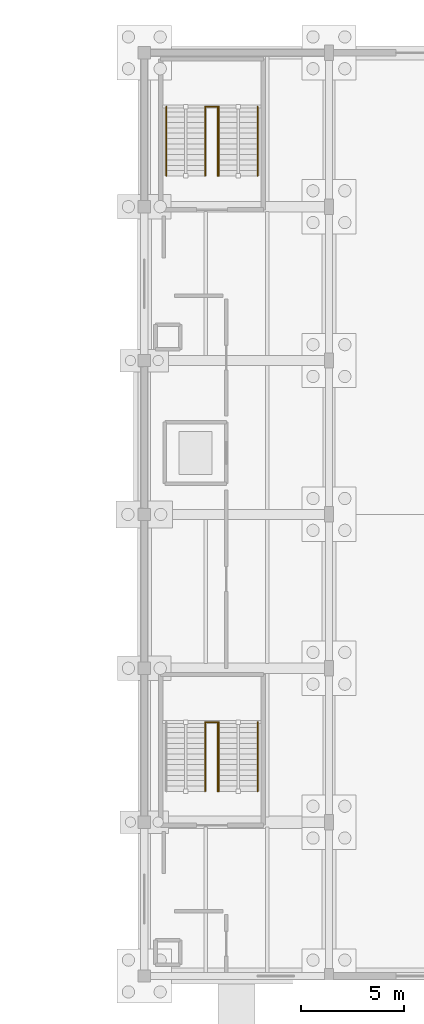
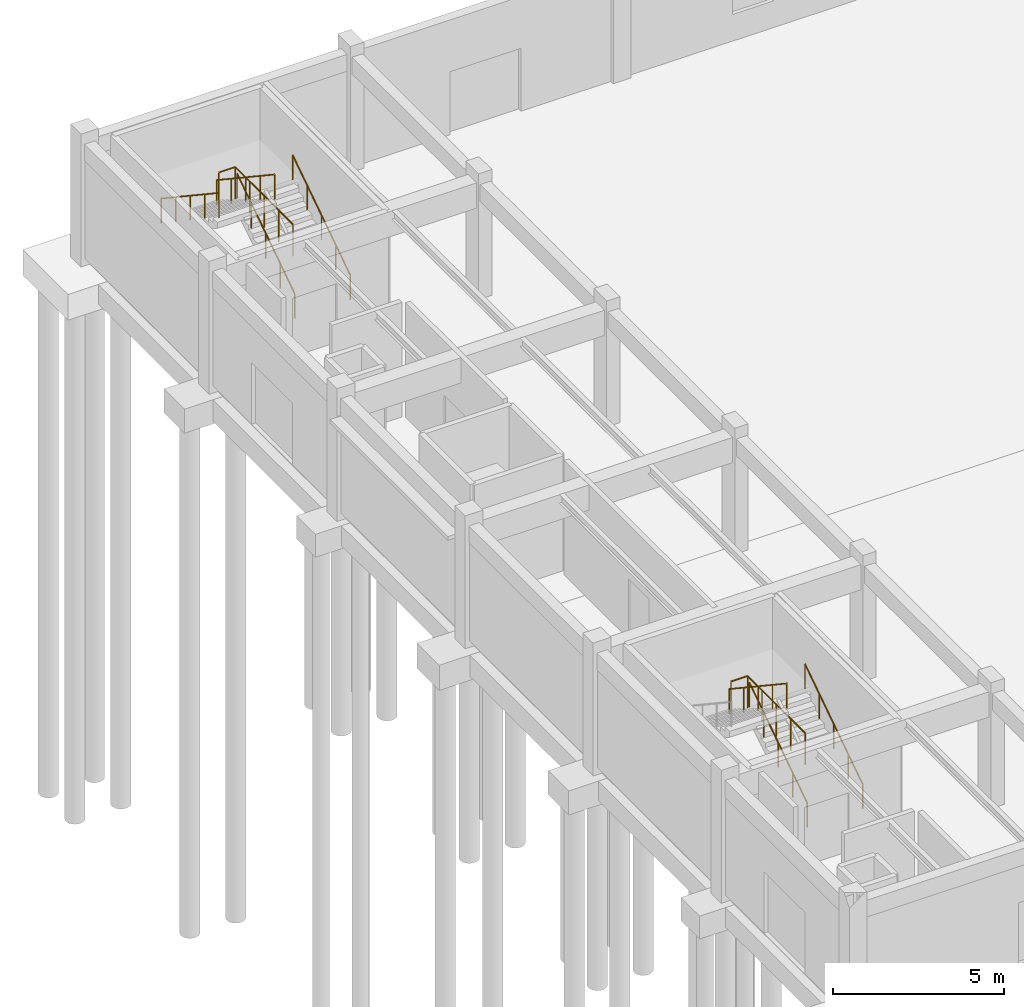
# One storey, part 92 of 93: 9 railings.
"""IFC4 building model written with IfcOpenShell, lengths in metres."""

from ifc_helpers import new_model, si_unit, direction, frame, origin, origin_2d, place, context, subcontext, project, spatial, circle, extrude, material, type_object, element, save


model = new_model("IFC4")

# Units and contexts
model_context = context("Model", 3, precision=1e-05, world=origin(), true_north=direction((0.0, 1.0)))
body_context = subcontext(model_context, "Body", "Model", "MODEL_VIEW")
ifc_project = project(units=[si_unit("LENGTHUNIT", "METRE"), si_unit("AREAUNIT", "SQUARE_METRE"), si_unit("VOLUMEUNIT", "CUBIC_METRE"), si_unit("PLANEANGLEUNIT", "RADIAN"), si_unit("MASSUNIT", "GRAM", prefix="KILO")], contexts=[model_context])

# Site, building, storey
site_placement = place(None, origin())
site = spatial("IfcSite", under=ifc_project, at=site_placement, CompositionType="ELEMENT")
building_placement = place(site_placement, origin())
building = spatial("IfcBuilding", under=site, at=building_placement, Name="Marnridge Secondary College", CompositionType="ELEMENT")
storey_placement = place(building_placement, origin())
storey = spatial("IfcBuildingStorey", under=building, at=storey_placement, Name="L00", CompositionType="ELEMENT", Elevation=0.0)

# Railings
ifc_material_1 = material(Name="Stainless steel Grade 350 (350 MPa) 48 mm handrail", Category="steel")
railing_type_1 = type_object("IfcRailingType", Name="RL-HND-900", PredefinedType="HANDRAIL", material=ifc_material_1)
for number, where, name in (
    (1, (129.639892578125, 84.0, 0.0), "Stair handrail HR-169"),
    (2, (131.52001953125, 84.0, 0.0), "Stair handrail HR-170"),
):
    element("IfcRailing", number, at=place(storey_placement, frame(where)), inside=storey, type_object=railing_type_1, Name=name, PredefinedType="HANDRAIL", context=body_context, shape_type="SweptSolid", body=[
        extrude(circle(Radius=0.02392578125, at=origin_2d()), frame((0.0, 0.0, 0.8759765625), z_axis=(0.0, 0.832420131278, 0.554145039718), x_axis=(-1.0, 0.0, 0.0)), (0.0, 0.0, 1.0), 4.060302734375),
        extrude(circle(Radius=0.02099609375, at=origin_2d()), origin(), (0.0, 0.0, 1.0), 0.851806640625),
        extrude(circle(Radius=0.02099609375, at=origin_2d()), frame((0.0, 0.844970703125, 0.5625)), (0.0, 0.0, 1.0), 0.851806640625),
        extrude(circle(Radius=0.02099609375, at=origin_2d()), frame((0.0, 1.68994140625, 1.125)), (0.0, 0.0, 1.0), 0.851806640625),
        extrude(circle(Radius=0.02099609375, at=origin_2d()), frame((0.0, 2.534912109375, 1.6875)), (0.0, 0.0, 1.0), 0.851806640625),
        extrude(circle(Radius=0.02099609375, at=origin_2d()), frame((0.0, 3.3798828125, 2.25)), (0.0, 0.0, 1.0), 0.851806640625),
    ])
railing_placement = place(storey_placement, frame((128.9599609375, 87.3798828125, 2.25)))
element("IfcRailing", 3, at=railing_placement, inside=storey, type_object=railing_type_1, Name="Stair handrail HR-172", PredefinedType="HANDRAIL", context=body_context, shape_type="SweptSolid", body=[
    extrude(circle(Radius=0.02392578125, at=origin_2d()), frame((0.0, 0.0, 0.8759765625), z_axis=(0.0, -0.832420131278, 0.554145039718), x_axis=(1.0, 0.0, 0.0)), (0.0, 0.0, 1.0), 4.060302734375),
    extrude(circle(Radius=0.02099609375, at=origin_2d()), origin(), (0.0, 0.0, 1.0), 0.851806640625),
    extrude(circle(Radius=0.02099609375, at=origin_2d()), frame((0.0, -0.844970703125, 0.5625)), (0.0, 0.0, 1.0), 0.851806640625),
    extrude(circle(Radius=0.02099609375, at=origin_2d()), frame((0.0, -1.68994140625, 1.125)), (0.0, 0.0, 1.0), 0.851806640625),
    extrude(circle(Radius=0.02099609375, at=origin_2d()), frame((0.0, -2.534912109375, 1.6875)), (0.0, 0.0, 1.0), 0.851806640625),
    extrude(circle(Radius=0.02099609375, at=origin_2d()), frame((0.0, -3.3798828125, 2.25)), (0.0, 0.0, 1.0), 0.851806640625),
])
for number, where, name in (
    (4, (129.639892578125, 114.0, 0.0), "Stair handrail HR-175"),
    (5, (131.52001953125, 114.0, 0.0), "Stair handrail HR-176"),
):
    element("IfcRailing", number, at=place(storey_placement, frame(where)), inside=storey, type_object=railing_type_1, Name=name, PredefinedType="HANDRAIL", context=body_context, shape_type="SweptSolid", body=[
        extrude(circle(Radius=0.02392578125, at=origin_2d()), frame((0.0, 0.0, 0.8759765625), z_axis=(0.0, 0.832420131278, 0.554145039718), x_axis=(-1.0, 0.0, 0.0)), (0.0, 0.0, 1.0), 4.060302734375),
        extrude(circle(Radius=0.02099609375, at=origin_2d()), origin(), (0.0, 0.0, 1.0), 0.851806640625),
        extrude(circle(Radius=0.02099609375, at=origin_2d()), frame((0.0, 0.844970703125, 0.5625)), (0.0, 0.0, 1.0), 0.851806640625),
        extrude(circle(Radius=0.02099609375, at=origin_2d()), frame((0.0, 1.68994140625, 1.125)), (0.0, 0.0, 1.0), 0.851806640625),
        extrude(circle(Radius=0.02099609375, at=origin_2d()), frame((0.0, 2.534912109375, 1.6875)), (0.0, 0.0, 1.0), 0.851806640625),
        extrude(circle(Radius=0.02099609375, at=origin_2d()), frame((0.0, 3.3798828125, 2.25)), (0.0, 0.0, 1.0), 0.851806640625),
    ])
for number, where, name in (
    (6, (127.080078125, 117.3798828125, 2.25), "Stair handrail HR-177"),
    (7, (128.9599609375, 117.3798828125, 2.25), "Stair handrail HR-178"),
):
    element("IfcRailing", number, at=place(storey_placement, frame(where)), inside=storey, type_object=railing_type_1, Name=name, PredefinedType="HANDRAIL", context=body_context, shape_type="SweptSolid", body=[
        extrude(circle(Radius=0.02392578125, at=origin_2d()), frame((0.0, 0.0, 0.8759765625), z_axis=(0.0, -0.832420131278, 0.554145039718), x_axis=(1.0, 0.0, 0.0)), (0.0, 0.0, 1.0), 4.060302734375),
        extrude(circle(Radius=0.02099609375, at=origin_2d()), origin(), (0.0, 0.0, 1.0), 0.851806640625),
        extrude(circle(Radius=0.02099609375, at=origin_2d()), frame((0.0, -0.844970703125, 0.5625)), (0.0, 0.0, 1.0), 0.851806640625),
        extrude(circle(Radius=0.02099609375, at=origin_2d()), frame((0.0, -1.68994140625, 1.125)), (0.0, 0.0, 1.0), 0.851806640625),
        extrude(circle(Radius=0.02099609375, at=origin_2d()), frame((0.0, -2.534912109375, 1.6875)), (0.0, 0.0, 1.0), 0.851806640625),
        extrude(circle(Radius=0.02099609375, at=origin_2d()), frame((0.0, -3.3798828125, 2.25)), (0.0, 0.0, 1.0), 0.851806640625),
    ])
ifc_material_2 = material(Name="Painted steel Grade C350L0 (350 MPa) stair-well guard", Category="steel")
railing_type_2 = type_object("IfcRailingType", Name="RL-STAIR-1150", PredefinedType="BALUSTRADE", material=ifc_material_2)
for number, where, name in (
    (8, (129.580078125, 84.0, 2.25), "Stair well slot guard GS-173"),
    (9, (129.580078125, 114.0, 2.25), "Stair well slot guard GS-179"),
):
    element("IfcRailing", number, at=place(storey_placement, frame(where)), inside=storey, type_object=railing_type_2, Name=name, PredefinedType="BALUSTRADE", context=body_context, shape_type="SweptSolid", body=[
        extrude(circle(Radius=0.02392578125, at=origin_2d()), frame((0.0, 0.0, 1.1259765625), z_axis=(0.0, 1.0, 0.0), x_axis=(-1.0, 0.0, 0.0)), (0.0, 0.0, 1.0), 3.3798828125),
        extrude(circle(Radius=0.02392578125, at=origin_2d()), frame((0.0, 3.3798828125, 1.1259765625), z_axis=(-1.0, 0.0, 0.0), x_axis=(0.0, -1.0, 0.0)), (0.0, 0.0, 1.0), 0.56005859375),
        extrude(circle(Radius=0.02099609375, at=origin_2d()), origin(), (0.0, 0.0, 1.0), 1.101806640625),
        extrude(circle(Radius=0.02099609375, at=origin_2d()), frame((0.0, 0.844970703125, 0.0)), (0.0, 0.0, 1.0), 1.101806640625),
        extrude(circle(Radius=0.02099609375, at=origin_2d()), frame((0.0, 1.68994140625, 0.0)), (0.0, 0.0, 1.0), 1.101806640625),
        extrude(circle(Radius=0.02099609375, at=origin_2d()), frame((0.0, 2.534912109375, 0.0)), (0.0, 0.0, 1.0), 1.101806640625),
        extrude(circle(Radius=0.02099609375, at=origin_2d()), frame((0.0, 3.3798828125, 0.0)), (0.0, 0.0, 1.0), 1.101806640625),
        extrude(circle(Radius=0.02099609375, at=origin_2d()), frame((-0.56005859375, 3.3798828125, 0.0)), (0.0, 0.0, 1.0), 1.101806640625),
    ])

save(model, "model.ifc")
